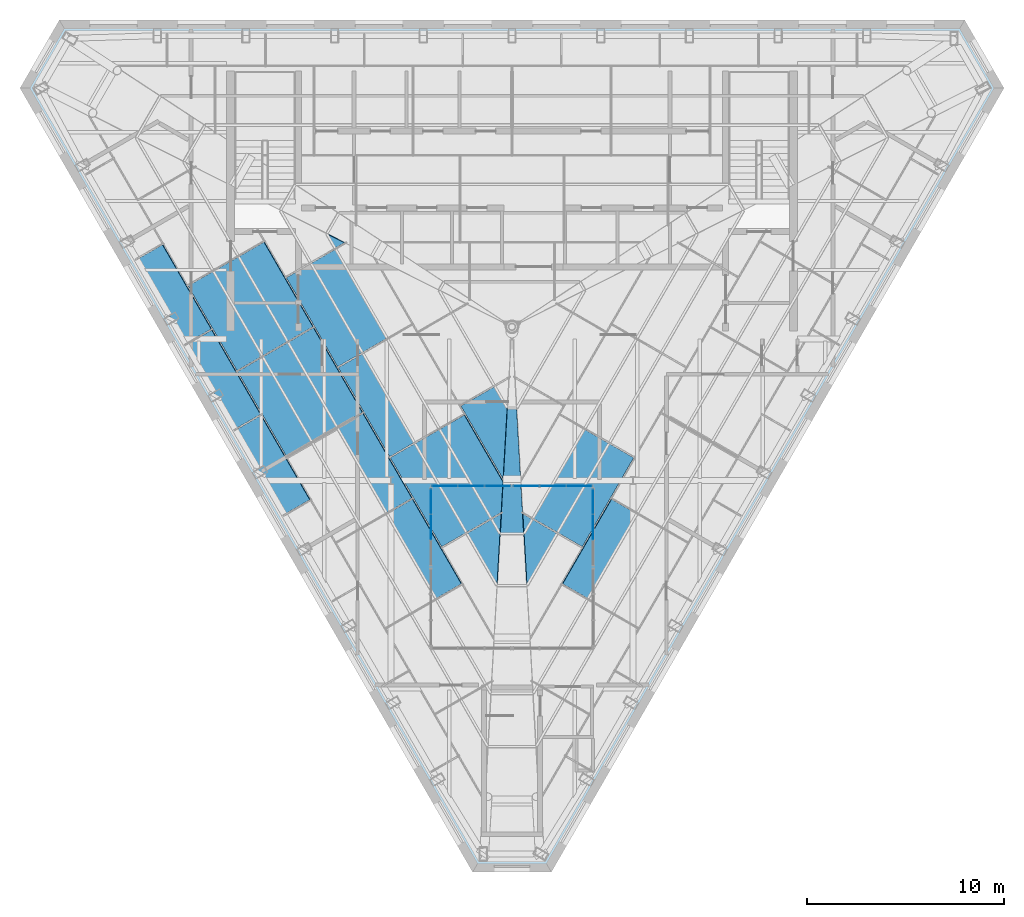
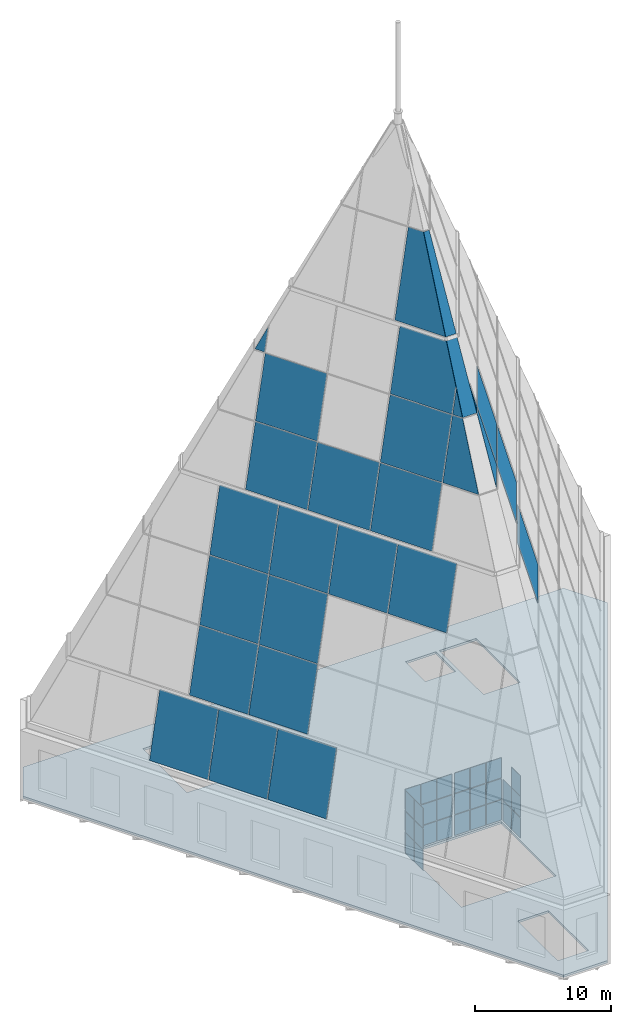
# One storey, part 26 of 36: 57 plates, 1 slab, 12 elements without a shape of their own.
"""IFC4 building model written with IfcOpenShell, lengths in metres."""

from ifc_helpers import new_model, si_unit, direction, frame, origin, origin_2d, place, context, subcontext, project, spatial, polyline, rectangle, outline, extrude, material, layer, layer_set, type_object, element, aggregate, save


model = new_model("IFC4")

# Units and contexts
model_context = context("Model", 3, precision=1e-05, world=origin(), true_north=direction((0.0, 1.0)))
body_context = subcontext(model_context, "Body", "Model", "MODEL_VIEW")
ifc_project = project(units=[si_unit("LENGTHUNIT", "METRE"), si_unit("AREAUNIT", "SQUARE_METRE"), si_unit("VOLUMEUNIT", "CUBIC_METRE"), si_unit("PLANEANGLEUNIT", "RADIAN"), si_unit("MASSUNIT", "GRAM", prefix="KILO")], contexts=[model_context])

# Site, building, storey
site_placement = place(None, origin())
site = spatial("IfcSite", under=ifc_project, at=site_placement, CompositionType="ELEMENT")
building_placement = place(site_placement, origin())
building = spatial("IfcBuilding", under=site, at=building_placement, Name="Njiva Tower", CompositionType="ELEMENT")
storey_placement = place(building_placement, frame((0.0, 0.0, 337.8)))
storey = spatial("IfcBuildingStorey", under=building, at=storey_placement, Name="L77", CompositionType="ELEMENT", Elevation=337.8)

# Curtain wall, plates
ifc_material_1 = material(Name="Glazed curtain wall", Category="glass")
ifc_layer_1 = layer(ifc_material_1, 0.16)
ifc_layer_set_1 = layer_set([ifc_layer_1], Name="Glazed curtain wall")
curtain_wall_type_1 = type_object("IfcCurtainWallType", Name="CW2 Crown glazing, faceted point, long faces", PredefinedType="NOTDEFINED", material=ifc_layer_set_1)
curtain_wall_1_placement = place(storey_placement, origin())
curtain_wall_1 = element("IfcCurtainWall", 1, at=curtain_wall_1_placement, inside=storey, type_object=curtain_wall_type_1, Name="Crown glazing face SW tier 1", PredefinedType="NOTDEFINED")
ifc_material_2 = material(Name="Clear laminated glass", Category="glass")
ifc_layer_2 = layer(ifc_material_2, 0.032)
ifc_layer_set_2 = layer_set([ifc_layer_2], Name="Clear laminated glass")
plate_type_1 = type_object("IfcPlateType", Name="CW2-P Crown glass panel 32", PredefinedType="CURTAIN_PANEL", material=ifc_layer_set_2)
plate_1_placement = place(storey_placement, frame((-16.5919, 3.7418, 6.5043), z_axis=(-0.83472112985, -0.481929472764, 0.266429387761), x_axis=(0.230736106256, 0.133212116361, 0.963854439905)))
plate_1 = element("IfcPlate", 2, at=plate_1_placement, type_object=plate_type_1, Name="CW2-31 panel 3.1", PredefinedType="CURTAIN_PANEL", context=body_context, shape_type="SweptSolid", body=[
    extrude(outline(polyline([(0.0, 0.0), (5.659994801963874, -5.0127409818509494e-17), (5.6599649789226865, 4.94850186797668), (-6.749430561781011e-06, 4.948451867828215), (0.0, 0.0)])), origin(), (0.0, 0.0, -1.0), 0.032),
])
plate_2_placement = place(storey_placement, frame((-14.0877, -0.5957, 6.5043), z_axis=(-0.83472364548, -0.481921186243, 0.26643649511), x_axis=(0.230742261373, 0.133215670042, 0.963852475264)))
plate_2 = element("IfcPlate", 3, at=plate_2_placement, type_object=plate_type_1, Name="CW2-31 panel 4.1", PredefinedType="CURTAIN_PANEL", context=body_context, shape_type="SweptSolid", body=[
    extrude(outline(polyline([(0.0, 0.0), (5.659994802117752, 6.313783588833555e-18), (5.6599880529949465, 4.94845186800422), (-6.749122805960184e-06, 4.94845186800422), (0.0, 0.0)])), origin(), (0.0, 0.0, -1.0), 0.032),
])
plate_3_placement = place(storey_placement, frame((-11.5834, -4.9331, 6.5043), z_axis=(-0.834723094453, -0.481930607035, 0.26642118082), x_axis=(0.230732232295, 0.133202412387, 0.963856708393)))
plate_3 = element("IfcPlate", 4, at=plate_3_placement, type_object=plate_type_1, Name="CW2-31 panel 5.1", PredefinedType="CURTAIN_PANEL", context=body_context, shape_type="SweptSolid", body=[
    extrude(outline(polyline([(0.0, 0.0), (5.659958407820509, 6.2341624917916505e-19), (5.659919656960116, 4.94845186768109), (-6.182408362298553e-05, 4.948501867680347), (0.0, 0.0)])), origin(), (0.0, 0.0, -1.0), 0.032),
])
aggregate(curtain_wall_1, [plate_1, plate_2, plate_3])

curtain_wall_2_placement = place(storey_placement, origin())
curtain_wall_2 = element("IfcCurtainWall", 5, at=curtain_wall_2_placement, inside=storey, type_object=curtain_wall_type_1, Name="Crown glazing face SW tier 2", PredefinedType="NOTDEFINED")
plate_4_placement = place(storey_placement, frame((-13.9751, 2.3852, 12.2488), z_axis=(-0.834724434486, -0.481924261072, 0.266428461432), x_axis=(0.230726006437, 0.133227757133, 0.963854695835)))
plate_4 = element("IfcPlate", 6, at=plate_4_placement, type_object=plate_type_1, Name="CW2-32 panel 3.1", PredefinedType="CURTAIN_PANEL", context=body_context, shape_type="SweptSolid", body=[
    extrude(outline(polyline([(0.0, 0.0), (5.541701797254022, -3.493841500834538e-17), (5.541789187432867, 4.969463529602748), (7.76403539147763e-05, 4.9696001321696714), (0.0, 0.0)])), origin(), (0.0, 0.0, -1.0), 0.032),
])
plate_5_placement = place(storey_placement, frame((-12.6826, 3.1315, 17.648), z_axis=(-0.834720043956, -0.481937022846, 0.266419132625), x_axis=(0.230727020437, 0.133207343245, 0.963857274572)))
plate_5 = element("IfcPlate", 7, at=plate_5_placement, type_object=plate_type_1, Name="CW2-32 panel 3.2", PredefinedType="CURTAIN_PANEL", context=body_context, shape_type="SweptSolid", body=[
    extrude(outline(polyline([(0.0, 0.0), (5.511708154465365, 2.6020852139652106e-17), (5.511682097207619, 4.969513530449537), (-2.6057257746070484e-05, 4.969513530449536), (0.0, 0.0)])), origin(), (0.0, 0.0, -1.0), 0.032),
])
plate_6_placement = place(storey_placement, frame((-12.6032, 8.9156, 28.3597), z_axis=(-0.83472301334, -0.481929039523, 0.266424270413), x_axis=(-0.230730190592, -0.133212127882, -0.963855854438)))
plate_6 = element("IfcPlate", 8, at=plate_6_placement, type_object=plate_type_1, Name="CW2-32 panel 3.3", PredefinedType="CURTAIN_PANEL", context=body_context, shape_type="SweptSolid", body=[
    extrude(outline(polyline([(0.0, 0.0), (5.5416884753888604, -2.0740215812408303e-16), (5.541698205589708, 4.969463530217665), (-1.3342818211525831e-05, 4.969513530324679), (0.0, 0.0)])), origin(), (0.0, 0.0, -1.0), 0.032),
])
plate_7_placement = place(storey_placement, frame((-11.4604, -1.9705, 12.2488), z_axis=(-0.834724434486, -0.481924261072, 0.266428461432), x_axis=(0.23073051767, 0.13321994344, 0.96385469594)))
plate_7 = element("IfcPlate", 9, at=plate_7_placement, type_object=plate_type_1, Name="CW2-32 panel 4.1", PredefinedType="CURTAIN_PANEL", context=body_context, shape_type="SweptSolid", body=[
    extrude(outline(polyline([(0.0, 0.0), (5.541724870080227, -7.092037460770806e-17), (5.541744350356935, 4.969513530043621), (5.587532281881025e-05, 4.969550132813234), (0.0, 0.0)])), origin(), (0.0, 0.0, -1.0), 0.032),
])
plate_8_placement = place(storey_placement, frame((-10.1679, -1.2242, 17.648), z_axis=(-0.834722496075, -0.481928740879, 0.266426431235), x_axis=(0.230737876965, 0.13320313633, 0.963855257083)))
plate_8 = element("IfcPlate", 10, at=plate_8_placement, type_object=plate_type_1, Name="CW2-32 panel 4.2", PredefinedType="CURTAIN_PANEL", context=body_context, shape_type="SweptSolid", body=[
    extrude(outline(polyline([(0.0, 0.0), (5.511731227868255, 1.3010426069826053e-17), (5.511660089011535, 4.969513529833414), (-4.80650690226625e-05, 4.969463529994746), (0.0, 0.0)])), origin(), (0.0, 0.0, -1.0), 0.032),
])
plate_9_placement = place(storey_placement, frame((-10.0884, 4.56, 28.3597), z_axis=(-0.834718497556, -0.481930530985, 0.266435720471), x_axis=(-0.230736804169, -0.133223572879, -0.963852689383)))
plate_9 = element("IfcPlate", 11, at=plate_9_placement, type_object=plate_type_1, Name="CW2-32 panel 4.3", PredefinedType="CURTAIN_PANEL", context=body_context, shape_type="SweptSolid", body=[
    extrude(outline(polyline([(0.0, 0.0), (5.5417248704188635, 4.04576816926544e-17), (5.541744350018297, 4.969513530421253), (3.2801956720174275e-05, 4.969600132640792), (0.0, 0.0)])), origin(), (0.0, 0.0, -1.0), 0.032),
])
plate_10_placement = place(storey_placement, frame((-7.5736, 0.2043, 28.3597), z_axis=(-0.834724434486, -0.481924261072, 0.266428461432), x_axis=(-0.23073051767, -0.13321994344, -0.96385469594)))
plate_10 = element("IfcPlate", 12, at=plate_10_placement, type_object=plate_type_1, Name="CW2-32 panel 5.3", PredefinedType="CURTAIN_PANEL", context=body_context, shape_type="SweptSolid", body=[
    extrude(outline(polyline([(0.0, 0.0), (5.541724870080228, -2.596664203102783e-17), (5.541744350356936, 4.969513530043621), (5.587532281936536e-05, 4.969550132813234), (0.0, 0.0)])), origin(), (0.0, 0.0, -1.0), 0.032),
])
plate_11_placement = place(storey_placement, frame((-5.0589, -4.1514, 28.3597), z_axis=(-0.834724434486, -0.481924261072, 0.266428461432), x_axis=(-0.230726006437, -0.133227757133, -0.963854695835)))
plate_11 = element("IfcPlate", 13, at=plate_11_placement, type_object=plate_type_1, Name="CW2-32 panel 6.3", PredefinedType="CURTAIN_PANEL", context=body_context, shape_type="SweptSolid", body=[
    extrude(outline(polyline([(0.0, 0.0), (5.541701797254022, -2.687466135048444e-17), (5.541789187432867, 4.969463529602747), (7.764035391544244e-05, 4.96960013216967), (0.0, 0.0)])), origin(), (0.0, 0.0, -1.0), 0.032),
])
aggregate(curtain_wall_2, [plate_4, plate_5, plate_6, plate_7, plate_8, plate_9, plate_10, plate_11])

curtain_wall_3_placement = place(storey_placement, origin())
curtain_wall_3 = element("IfcCurtainWall", 14, at=curtain_wall_3_placement, inside=storey, type_object=curtain_wall_type_1, Name="Crown glazing face SW tier 3", PredefinedType="NOTDEFINED")
plate_12_placement = place(storey_placement, frame((-9.3975, 9.3295, 39.1517), z_axis=(-0.83473613617, -0.481891543792, 0.266450976716), x_axis=(0.499966081582, -0.866044985707, 0.0)))
plate_12 = element("IfcPlate", 15, at=plate_12_placement, type_object=plate_type_1, Name="CW2-33 panel 1.3", PredefinedType="CURTAIN_PANEL", context=body_context, shape_type="SweptSolid", body=[
    extrude(outline(polyline([(0.0, 0.0), (0.8290562405530761, 0.0), (0.8290760220819984, 2.0419184728114548), (0.0, 0.0)])), origin(), (0.0, 0.0, -1.0), 0.032),
])
plate_13_placement = place(storey_placement, frame((-8.8553, 2.5841, 28.6488), z_axis=(-0.834720210953, -0.481932000305, 0.266427694711), x_axis=(0.23073175592, 0.133216265226, 0.963854907903)))
plate_13 = element("IfcPlate", 16, at=plate_13_placement, type_object=plate_type_1, Name="CW2-33 panel 2.1", PredefinedType="CURTAIN_PANEL", context=body_context, shape_type="SweptSolid", body=[
    extrude(outline(polyline([(0.0, 0.0), (5.403395093666399, -2.1678961252026563e-17), (5.403413634184011, 5.223625721461517), (-4.532657980726995e-06, 5.223675721964137), (0.0, 0.0)])), origin(), (0.0, 0.0, -1.0), 0.032),
])
plate_14_placement = place(storey_placement, frame((-7.5948, 3.3119, 33.9147), z_axis=(-0.834724318837, -0.481925146102, 0.266427222891), x_axis=(0.230732651718, 0.133213770043, 0.963855038324)))
plate_14 = element("IfcPlate", 17, at=plate_14_placement, type_object=plate_type_1, Name="CW2-33 panel 2.2", PredefinedType="CURTAIN_PANEL", context=body_context, shape_type="SweptSolid", body=[
    extrude(outline(polyline([(0.0, 0.0), (5.373318387179385, 1.055165883053627e-16), (5.373323300344416, 5.223625721658843), (4.91316503115069e-06, 5.223625721658842), (0.0, 0.0)])), origin(), (0.0, 0.0, -1.0), 0.032),
])
plate_15_placement = place(storey_placement, frame((-6.2135, -1.9917, 28.6488), z_axis=(-0.834725988063, -0.481926109824, 0.266420249836), x_axis=(0.230725308505, 0.133212542763, 0.963856965771)))
plate_15 = element("IfcPlate", 18, at=plate_15_placement, type_object=plate_type_1, Name="CW2-33 panel 3.1", PredefinedType="CURTAIN_PANEL", context=body_context, shape_type="SweptSolid", body=[
    extrude(outline(polyline([(0.0, 0.0), (5.403395093827585, -1.7065003381742938e-16), (5.403413634022826, 5.22362572162825), (1.8540195240390744e-05, 5.223625721628251), (0.0, 0.0)])), origin(), (0.0, 0.0, -1.0), 0.032),
])
plate_16_placement = place(storey_placement, frame((-3.5717, -6.5675, 28.6488), z_axis=(-0.834720210953, -0.481932000305, 0.266427694711), x_axis=(0.230736382704, 0.133208251486, 0.963854907874)))
plate_16 = element("IfcPlate", 19, at=plate_16_placement, type_object=plate_type_1, Name="CW2-33 panel 4.1", PredefinedType="CURTAIN_PANEL", context=body_context, shape_type="SweptSolid", body=[
    extrude(outline(polyline([(0.0, 0.0), (5.403418167073332, 1.8973538018496328e-19), (5.403365297158535, 5.22367572169855), (-2.9796276526328214e-05, 5.223625721409439), (0.0, 0.0)])), origin(), (0.0, 0.0, -1.0), 0.032),
])
plate_17_placement = place(storey_placement, frame((-2.3111, -5.8397, 33.9147), z_axis=(-0.834724318837, -0.481925146102, 0.266427222891), x_axis=(0.230732651718, 0.133213770043, 0.963855038324)))
plate_17 = element("IfcPlate", 20, at=plate_17_placement, type_object=plate_type_1, Name="CW2-33 panel 4.2", PredefinedType="CURTAIN_PANEL", context=body_context, shape_type="SweptSolid", body=[
    extrude(outline(polyline([(0.0, 0.0), (5.373318387179385, -1.2378793601058521e-16), (5.373323300344415, 5.223625721658842), (4.913165030706601e-06, 5.223625721658842), (0.0, 0.0)])), origin(), (0.0, 0.0, -1.0), 0.032),
])
plate_18_placement = place(storey_placement, frame((-2.4225, 0.1277, 44.3597), z_axis=(-0.834719076784, -0.48193106339, 0.266432942769), x_axis=(-0.230740927709, -0.133210875418, -0.963853457197)))
plate_18 = element("IfcPlate", 21, at=plate_18_placement, type_object=plate_type_1, Name="CW2-33 panel 4.3", PredefinedType="CURTAIN_PANEL", context=body_context, shape_type="SweptSolid", body=[
    extrude(outline(polyline([(0.0, 0.0), (5.403321781874732, 1.7796501034991752e-16), (5.403268911004581, 5.223675721688189), (3.2136282605525652, 5.223641962504193), (-2.270476162902213e-05, 3.9188170152022437), (0.0, 0.0)])), origin(), (0.0, 0.0, -1.0), 0.032),
])
plate_19_placement = place(storey_placement, frame((-0.6145, -5.915, 39.0938), z_axis=(-0.834704401377, -0.481955847753, 0.266434087792), x_axis=(-0.500033235373, 0.8660062144, -1.1947347e-05)))
plate_19 = element("IfcPlate", 22, at=plate_19_placement, type_object=plate_type_1, Name="CW2-33 panel 5.2", PredefinedType="CURTAIN_PANEL", context=body_context, shape_type="SweptSolid", body=[
    extrude(outline(polyline([(0.0, 0.0), (0.8534793779203436, 2.7755575615628914e-17), (0.8535952113748597, 5.373318385794569), (-2.1816891651229655, 5.373366588584889), (0.0, 0.0)])), origin(), (0.0, 0.0, -1.0), 0.032),
])
plate_20_placement = place(storey_placement, frame((-0.5563, -4.8959, 41.1198), z_axis=(-0.834745568987, -0.481896989339, 0.266411573929), x_axis=(-0.23071700943, -0.133209566047, -0.963859363742)))
plate_20 = element("IfcPlate", 23, at=plate_20_placement, type_object=plate_type_1, Name="CW2-33 panel 5.3", PredefinedType="CURTAIN_PANEL", context=body_context, shape_type="SweptSolid", body=[
    extrude(outline(polyline([(0.0, 0.0), (2.0418953988879966, 4.0176466754165974e-17), (2.0419076669013405, 0.8290562404623079), (0.0, 0.0)])), origin(), (0.0, 0.0, -1.0), 0.032),
])
aggregate(curtain_wall_3, [plate_12, plate_13, plate_14, plate_15, plate_16, plate_17, plate_18, plate_19, plate_20])

# Curtain wall, plate
curtain_wall_4_placement = place(storey_placement, origin())
curtain_wall_4 = element("IfcCurtainWall", 24, at=curtain_wall_4_placement, inside=storey, type_object=curtain_wall_type_1, Name="Crown glazing face SW tier 4", PredefinedType="NOTDEFINED")
plate_21_placement = place(storey_placement, frame((-0.2493, 0.4755, 51.7976), z_axis=(-0.83472123686, -0.48193241096, 0.266423737683), x_axis=(-0.500004692974, 0.866022694278, -4.90779e-07)))
plate_21 = element("IfcPlate", 25, at=plate_21_placement, type_object=plate_type_1, Name="CW2-34 panel 3.1", PredefinedType="CURTAIN_PANEL", context=body_context, shape_type="SweptSolid", body=[
    extrude(outline(polyline([(0.0, 0.0), (1.270984161976269, -2.7755575615628914e-17), (1.2710152795988678, 7.4168748896705905), (-3.0115497380029104, 7.41687771744479), (0.0, 0.0)])), origin(), (0.0, 0.0, -1.0), 0.032),
])
aggregate(curtain_wall_4, [plate_21])

curtain_wall_5_placement = place(storey_placement, origin())
curtain_wall_5 = element("IfcCurtainWall", 26, at=curtain_wall_5_placement, inside=storey, type_object=curtain_wall_type_1, Name="Crown glazing face SE tier 2", PredefinedType="NOTDEFINED")
plate_22_placement = place(storey_placement, frame((2.5741, -8.4552, 28.3597), z_axis=(0.834724434486, -0.481924261072, 0.266428461432), x_axis=(0.230738331326, -0.133206409673, -0.963854695936)))
plate_22 = element("IfcPlate", 27, at=plate_22_placement, type_object=plate_type_1, Name="CW2-52 panel 3.3", PredefinedType="CURTAIN_PANEL", context=body_context, shape_type="SweptSolid", body=[
    extrude(outline(polyline([(0.0, 0.0), (5.541711548762571, 1.2576745200831851e-17), (5.54174665530131, 4.969463530247139), (4.485973090417872e-05, 4.969600132573689), (0.0, 0.0)])), origin(), (0.0, 0.0, -1.0), 0.032),
])
aggregate(curtain_wall_5, [plate_22])

# Curtain wall, plates
curtain_wall_6_placement = place(storey_placement, origin())
curtain_wall_6 = element("IfcCurtainWall", 28, at=curtain_wall_6_placement, inside=storey, type_object=curtain_wall_type_1, Name="Crown glazing face SE tier 3", PredefinedType="NOTDEFINED")
plate_23_placement = place(storey_placement, frame((0.7634, -8.5203, 33.9147), z_axis=(0.834704401378, -0.481955847753, 0.266434087792), x_axis=(0.500029571165, 0.866008330185, 3.359426e-06)))
plate_23 = element("IfcPlate", 29, at=plate_23_placement, type_object=plate_type_1, Name="CW2-53 panel 1.2", PredefinedType="CURTAIN_PANEL", context=body_context, shape_type="SweptSolid", body=[
    extrude(outline(polyline([(0.0, 0.0), (3.035284376880575, 5.551115123125783e-17), (3.0352538761024586, 5.373318386956524), (2.1817744982897387, 5.373331940904816), (0.0, 0.0)])), origin(), (0.0, 0.0, -1.0), 0.032),
])
plate_24_placement = place(storey_placement, frame((0.6129, -5.8859, 39.1517), z_axis=(0.834745568987, -0.481896989339, 0.266411573929), x_axis=(0.499966081582, 0.866044985707, 0.0)))
plate_24 = element("IfcPlate", 30, at=plate_24_placement, type_object=plate_type_1, Name="CW2-53 panel 1.3", PredefinedType="CURTAIN_PANEL", context=body_context, shape_type="SweptSolid", body=[
    extrude(outline(polyline([(0.0, 0.0), (0.8290562405530761, 0.0), (0.829086455632313, 2.0418953986644417), (0.0, 0.0)])), origin(), (0.0, 0.0, -1.0), 0.032),
])
plate_25_placement = place(storey_placement, frame((6.1835, -2.0437, 28.6488), z_axis=(0.834720210953, -0.481932000305, 0.266427694711), x_axis=(-0.23073175592, 0.133216265226, 0.963854907903)))
plate_25 = element("IfcPlate", 31, at=plate_25_placement, type_object=plate_type_1, Name="CW2-53 panel 2.1", PredefinedType="CURTAIN_PANEL", context=body_context, shape_type="SweptSolid", body=[
    extrude(outline(polyline([(0.0, 0.0), (5.4033950936664, -2.1304149172866535e-16), (5.403399626324381, 5.223675721964137), (-1.8540517610521334e-05, 5.223625721461517), (0.0, 0.0)])), origin(), (0.0, 0.0, -1.0), 0.032),
])
plate_26_placement = place(storey_placement, frame((4.9229, -1.3159, 33.9147), z_axis=(0.834724318837, -0.481925146102, 0.266427222891), x_axis=(-0.230732651718, 0.133213770043, 0.963855038324)))
plate_26 = element("IfcPlate", 32, at=plate_26_placement, type_object=plate_type_1, Name="CW2-53 panel 2.2", PredefinedType="CURTAIN_PANEL", context=body_context, shape_type="SweptSolid", body=[
    extrude(outline(polyline([(0.0, 0.0), (5.373318387179384, -8.23129677482784e-17), (5.373313474014353, 5.223625721658842), (-4.913165030817623e-06, 5.223625721658842), (0.0, 0.0)])), origin(), (0.0, 0.0, -1.0), 0.032),
])
aggregate(curtain_wall_6, [plate_23, plate_24, plate_25, plate_26])

# Curtain wall, plate
ifc_layer_3 = layer(ifc_material_1, 0.16)
ifc_layer_set_3 = layer_set([ifc_layer_3], Name="Glazed curtain wall")
curtain_wall_type_2 = type_object("IfcCurtainWallType", Name="CW3 Crown glazing, faceted point, corner faces", PredefinedType="NOTDEFINED", material=ifc_layer_set_3)
curtain_wall_7_placement = place(storey_placement, origin())
curtain_wall_7 = element("IfcCurtainWall", 33, at=curtain_wall_7_placement, inside=storey, type_object=curtain_wall_type_2, Name="Crown glazing face S tier 3", PredefinedType="NOTDEFINED")
ifc_layer_4 = layer(ifc_material_2, 0.032)
ifc_layer_set_4 = layer_set([ifc_layer_4], Name="Clear laminated glass")
plate_type_2 = type_object("IfcPlateType", Name="CW3-P Crown corner glass panel 32", PredefinedType="CURTAIN_PANEL", material=ifc_layer_set_4)
plate_27_placement = place(storey_placement, frame((-0.5995, -5.9097, 39.165), z_axis=(0.0, -0.893335523185, 0.449390301426), x_axis=(1.0, 0.0, 0.0)))
plate_27 = element("IfcPlate", 34, at=plate_27_placement, type_object=plate_type_2, Name="CW3-43 panel 1.3", PredefinedType="CURTAIN_PANEL", context=body_context, shape_type="SweptSolid", body=[
    extrude(outline(polyline([(0.0, 0.0), (1.199, 0.0), (1.049, 5.840134937653453), (0.15000000000000002, 5.840134937653453), (0.0, 0.0)])), origin(), (0.0, 0.0, -1.0), 0.032),
])
aggregate(curtain_wall_7, [plate_27])

curtain_wall_8_placement = place(storey_placement, origin())
curtain_wall_8 = element("IfcCurtainWall", 35, at=curtain_wall_8_placement, inside=storey, type_object=curtain_wall_type_2, Name="Crown glazing face S tier 4", PredefinedType="NOTDEFINED")
plate_28_placement = place(storey_placement, frame((0.236, 0.4495, 51.8064), z_axis=(0.0, -0.893335990218, 0.449389373017), x_axis=(-1.0, 0.0, 0.0)))
plate_28 = element("IfcPlate", 36, at=plate_28_placement, type_object=plate_type_2, Name="CW3-44 panel 1.1", PredefinedType="CURTAIN_PANEL", context=body_context, shape_type="SweptSolid", body=[
    extrude(outline(polyline([(0.0, 0.0), (0.472, 0.0), (0.6778, 8.010647817124417), (-0.20580000000000004, 8.010647817124417), (0.0, 0.0)])), origin(), (0.0, 0.0, -1.0), 0.032),
])
aggregate(curtain_wall_8, [plate_28])

# Curtain wall, plates
ifc_layer_5 = layer(ifc_material_1, 0.2)
ifc_layer_set_5 = layer_set([ifc_layer_5], Name="Glazed curtain wall")
curtain_wall_type_3 = type_object("IfcCurtainWallType", Name="CW5 Atrium lantern glazing", PredefinedType="NOTDEFINED", material=ifc_layer_set_5)
curtain_wall_9_placement = place(storey_placement, origin())
curtain_wall_9 = element("IfcCurtainWall", 37, at=curtain_wall_9_placement, inside=storey, type_object=curtain_wall_type_3, Name="Atrium lantern north 1", PredefinedType="NOTDEFINED")
ifc_layer_6 = layer(ifc_material_2, 0.028)
ifc_layer_set_6 = layer_set([ifc_layer_6], Name="Clear laminated glass")
plate_type_3 = type_object("IfcPlateType", Name="CW5-P Lantern glass panel 28", PredefinedType="CURTAIN_PANEL", material=ifc_layer_set_6)
plate_29_placement = place(storey_placement, frame((-3.425, -3.48, 0.06), z_axis=(0.0, 0.0, 1.0), x_axis=(1.0, 0.0, 0.0)))
plate_29 = element("IfcPlate", 38, at=plate_29_placement, type_object=plate_type_3, Name="CW5-3 panel 1.1", PredefinedType="CURTAIN_PANEL", context=body_context, shape_type="SweptSolid", body=[
    extrude(rectangle(XDim=1.27, YDim=0.028, at=origin_2d()), origin(), (0.0, 0.0, 1.0), 1.81),
])
plate_30_placement = place(storey_placement, frame((-3.425, -3.48, 1.93), z_axis=(0.0, 0.0, 1.0), x_axis=(1.0, 0.0, 0.0)))
plate_30 = element("IfcPlate", 39, at=plate_30_placement, type_object=plate_type_3, Name="CW5-3 panel 1.2", PredefinedType="CURTAIN_PANEL", context=body_context, shape_type="SweptSolid", body=[
    extrude(rectangle(XDim=1.27, YDim=0.028, at=origin_2d()), origin(), (0.0, 0.0, 1.0), 1.84),
])
plate_31_placement = place(storey_placement, frame((-3.425, -3.48, 3.83), z_axis=(0.0, 0.0, 1.0), x_axis=(1.0, 0.0, 0.0)))
plate_31 = element("IfcPlate", 40, at=plate_31_placement, type_object=plate_type_3, Name="CW5-3 panel 1.3", PredefinedType="CURTAIN_PANEL", context=body_context, shape_type="SweptSolid", body=[
    extrude(rectangle(XDim=1.27, YDim=0.028, at=origin_2d()), origin(), (0.0, 0.0, 1.0), 1.81),
])
plate_32_placement = place(storey_placement, frame((-2.08, -3.48, 0.06), z_axis=(0.0, 0.0, 1.0), x_axis=(1.0, 0.0, 0.0)))
plate_32 = element("IfcPlate", 41, at=plate_32_placement, type_object=plate_type_3, Name="CW5-3 panel 2.1", PredefinedType="CURTAIN_PANEL", context=body_context, shape_type="SweptSolid", body=[
    extrude(rectangle(XDim=1.3, YDim=0.028, at=origin_2d()), origin(), (0.0, 0.0, 1.0), 1.81),
])
plate_33_placement = place(storey_placement, frame((-2.08, -3.48, 1.93), z_axis=(0.0, 0.0, 1.0), x_axis=(1.0, 0.0, 0.0)))
plate_33 = element("IfcPlate", 42, at=plate_33_placement, type_object=plate_type_3, Name="CW5-3 panel 2.2", PredefinedType="CURTAIN_PANEL", context=body_context, shape_type="SweptSolid", body=[
    extrude(rectangle(XDim=1.3, YDim=0.028, at=origin_2d()), origin(), (0.0, 0.0, 1.0), 1.84),
])
plate_34_placement = place(storey_placement, frame((-2.08, -3.48, 3.83), z_axis=(0.0, 0.0, 1.0), x_axis=(1.0, 0.0, 0.0)))
plate_34 = element("IfcPlate", 43, at=plate_34_placement, type_object=plate_type_3, Name="CW5-3 panel 2.3", PredefinedType="CURTAIN_PANEL", context=body_context, shape_type="SweptSolid", body=[
    extrude(rectangle(XDim=1.3, YDim=0.028, at=origin_2d()), origin(), (0.0, 0.0, 1.0), 1.81),
])
plate_35_placement = place(storey_placement, frame((-0.735, -3.48, 0.06), z_axis=(0.0, 0.0, 1.0), x_axis=(1.0, 0.0, 0.0)))
plate_35 = element("IfcPlate", 44, at=plate_35_placement, type_object=plate_type_3, Name="CW5-3 panel 3.1", PredefinedType="CURTAIN_PANEL", context=body_context, shape_type="SweptSolid", body=[
    extrude(rectangle(XDim=1.27, YDim=0.028, at=origin_2d()), origin(), (0.0, 0.0, 1.0), 1.81),
])
plate_36_placement = place(storey_placement, frame((-0.735, -3.48, 1.93), z_axis=(0.0, 0.0, 1.0), x_axis=(1.0, 0.0, 0.0)))
plate_36 = element("IfcPlate", 45, at=plate_36_placement, type_object=plate_type_3, Name="CW5-3 panel 3.2", PredefinedType="CURTAIN_PANEL", context=body_context, shape_type="SweptSolid", body=[
    extrude(rectangle(XDim=1.27, YDim=0.028, at=origin_2d()), origin(), (0.0, 0.0, 1.0), 1.84),
])
plate_37_placement = place(storey_placement, frame((-0.735, -3.48, 3.83), z_axis=(0.0, 0.0, 1.0), x_axis=(1.0, 0.0, 0.0)))
plate_37 = element("IfcPlate", 46, at=plate_37_placement, type_object=plate_type_3, Name="CW5-3 panel 3.3", PredefinedType="CURTAIN_PANEL", context=body_context, shape_type="SweptSolid", body=[
    extrude(rectangle(XDim=1.27, YDim=0.028, at=origin_2d()), origin(), (0.0, 0.0, 1.0), 1.81),
])
aggregate(curtain_wall_9, [plate_29, plate_30, plate_31, plate_32, plate_33, plate_34, plate_35, plate_36, plate_37])

curtain_wall_10_placement = place(storey_placement, origin())
curtain_wall_10 = element("IfcCurtainWall", 47, at=curtain_wall_10_placement, inside=storey, type_object=curtain_wall_type_3, Name="Atrium lantern north 2", PredefinedType="NOTDEFINED")
plate_38_placement = place(storey_placement, frame((0.735, -3.48, 0.06), z_axis=(0.0, 0.0, 1.0), x_axis=(1.0, 0.0, 0.0)))
plate_38 = element("IfcPlate", 48, at=plate_38_placement, type_object=plate_type_3, Name="CW5-4 panel 1.1", PredefinedType="CURTAIN_PANEL", context=body_context, shape_type="SweptSolid", body=[
    extrude(rectangle(XDim=1.27, YDim=0.028, at=origin_2d()), origin(), (0.0, 0.0, 1.0), 1.81),
])
plate_39_placement = place(storey_placement, frame((0.735, -3.48, 1.93), z_axis=(0.0, 0.0, 1.0), x_axis=(1.0, 0.0, 0.0)))
plate_39 = element("IfcPlate", 49, at=plate_39_placement, type_object=plate_type_3, Name="CW5-4 panel 1.2", PredefinedType="CURTAIN_PANEL", context=body_context, shape_type="SweptSolid", body=[
    extrude(rectangle(XDim=1.27, YDim=0.028, at=origin_2d()), origin(), (0.0, 0.0, 1.0), 1.84),
])
plate_40_placement = place(storey_placement, frame((0.735, -3.48, 3.83), z_axis=(0.0, 0.0, 1.0), x_axis=(1.0, 0.0, 0.0)))
plate_40 = element("IfcPlate", 50, at=plate_40_placement, type_object=plate_type_3, Name="CW5-4 panel 1.3", PredefinedType="CURTAIN_PANEL", context=body_context, shape_type="SweptSolid", body=[
    extrude(rectangle(XDim=1.27, YDim=0.028, at=origin_2d()), origin(), (0.0, 0.0, 1.0), 1.81),
])
plate_41_placement = place(storey_placement, frame((2.08, -3.48, 0.06), z_axis=(0.0, 0.0, 1.0), x_axis=(1.0, 0.0, 0.0)))
plate_41 = element("IfcPlate", 51, at=plate_41_placement, type_object=plate_type_3, Name="CW5-4 panel 2.1", PredefinedType="CURTAIN_PANEL", context=body_context, shape_type="SweptSolid", body=[
    extrude(rectangle(XDim=1.3, YDim=0.028, at=origin_2d()), origin(), (0.0, 0.0, 1.0), 1.81),
])
plate_42_placement = place(storey_placement, frame((2.08, -3.48, 1.93), z_axis=(0.0, 0.0, 1.0), x_axis=(1.0, 0.0, 0.0)))
plate_42 = element("IfcPlate", 52, at=plate_42_placement, type_object=plate_type_3, Name="CW5-4 panel 2.2", PredefinedType="CURTAIN_PANEL", context=body_context, shape_type="SweptSolid", body=[
    extrude(rectangle(XDim=1.3, YDim=0.028, at=origin_2d()), origin(), (0.0, 0.0, 1.0), 1.84),
])
plate_43_placement = place(storey_placement, frame((2.08, -3.48, 3.83), z_axis=(0.0, 0.0, 1.0), x_axis=(1.0, 0.0, 0.0)))
plate_43 = element("IfcPlate", 53, at=plate_43_placement, type_object=plate_type_3, Name="CW5-4 panel 2.3", PredefinedType="CURTAIN_PANEL", context=body_context, shape_type="SweptSolid", body=[
    extrude(rectangle(XDim=1.3, YDim=0.028, at=origin_2d()), origin(), (0.0, 0.0, 1.0), 1.81),
])
plate_44_placement = place(storey_placement, frame((3.425, -3.48, 0.06), z_axis=(0.0, 0.0, 1.0), x_axis=(1.0, 0.0, 0.0)))
plate_44 = element("IfcPlate", 54, at=plate_44_placement, type_object=plate_type_3, Name="CW5-4 panel 3.1", PredefinedType="CURTAIN_PANEL", context=body_context, shape_type="SweptSolid", body=[
    extrude(rectangle(XDim=1.27, YDim=0.028, at=origin_2d()), origin(), (0.0, 0.0, 1.0), 1.81),
])
plate_45_placement = place(storey_placement, frame((3.425, -3.48, 1.93), z_axis=(0.0, 0.0, 1.0), x_axis=(1.0, 0.0, 0.0)))
plate_45 = element("IfcPlate", 55, at=plate_45_placement, type_object=plate_type_3, Name="CW5-4 panel 3.2", PredefinedType="CURTAIN_PANEL", context=body_context, shape_type="SweptSolid", body=[
    extrude(rectangle(XDim=1.27, YDim=0.028, at=origin_2d()), origin(), (0.0, 0.0, 1.0), 1.84),
])
plate_46_placement = place(storey_placement, frame((3.425, -3.48, 3.83), z_axis=(0.0, 0.0, 1.0), x_axis=(1.0, 0.0, 0.0)))
plate_46 = element("IfcPlate", 56, at=plate_46_placement, type_object=plate_type_3, Name="CW5-4 panel 3.3", PredefinedType="CURTAIN_PANEL", context=body_context, shape_type="SweptSolid", body=[
    extrude(rectangle(XDim=1.27, YDim=0.028, at=origin_2d()), origin(), (0.0, 0.0, 1.0), 1.81),
])
aggregate(curtain_wall_10, [plate_38, plate_39, plate_40, plate_41, plate_42, plate_43, plate_44, plate_45, plate_46])

curtain_wall_11_placement = place(storey_placement, origin())
curtain_wall_11 = element("IfcCurtainWall", 57, at=curtain_wall_11_placement, inside=storey, type_object=curtain_wall_type_3, Name="Atrium lantern west 2", PredefinedType="NOTDEFINED")
plate_47_placement = place(storey_placement, frame((-4.12, -5.57, 0.06), z_axis=(0.0, 0.0, 1.0), x_axis=(0.0, 1.0, 0.0)))
plate_47 = element("IfcPlate", 58, at=plate_47_placement, type_object=plate_type_3, Name="CW5-6 panel 2.1", PredefinedType="CURTAIN_PANEL", context=body_context, shape_type="SweptSolid", body=[
    extrude(rectangle(XDim=1.2667, YDim=0.028, at=origin_2d()), origin(), (0.0, 0.0, 1.0), 1.81),
])
plate_48_placement = place(storey_placement, frame((-4.12, -5.57, 1.93), z_axis=(0.0, 0.0, 1.0), x_axis=(0.0, 1.0, 0.0)))
plate_48 = element("IfcPlate", 59, at=plate_48_placement, type_object=plate_type_3, Name="CW5-6 panel 2.2", PredefinedType="CURTAIN_PANEL", context=body_context, shape_type="SweptSolid", body=[
    extrude(rectangle(XDim=1.2667, YDim=0.028, at=origin_2d()), origin(), (0.0, 0.0, 1.0), 1.84),
])
plate_49_placement = place(storey_placement, frame((-4.12, -5.57, 3.83), z_axis=(0.0, 0.0, 1.0), x_axis=(0.0, 1.0, 0.0)))
plate_49 = element("IfcPlate", 60, at=plate_49_placement, type_object=plate_type_3, Name="CW5-6 panel 2.3", PredefinedType="CURTAIN_PANEL", context=body_context, shape_type="SweptSolid", body=[
    extrude(rectangle(XDim=1.2667, YDim=0.028, at=origin_2d()), origin(), (0.0, 0.0, 1.0), 1.81),
])
plate_50_placement = place(storey_placement, frame((-4.12, -4.2583, 0.06), z_axis=(0.0, 0.0, 1.0), x_axis=(0.0, 1.0, 0.0)))
plate_50 = element("IfcPlate", 61, at=plate_50_placement, type_object=plate_type_3, Name="CW5-6 panel 3.1", PredefinedType="CURTAIN_PANEL", context=body_context, shape_type="SweptSolid", body=[
    extrude(rectangle(XDim=1.2367, YDim=0.028, at=origin_2d()), origin(), (0.0, 0.0, 1.0), 1.81),
])
plate_51_placement = place(storey_placement, frame((-4.12, -4.2583, 1.93), z_axis=(0.0, 0.0, 1.0), x_axis=(0.0, 1.0, 0.0)))
plate_51 = element("IfcPlate", 62, at=plate_51_placement, type_object=plate_type_3, Name="CW5-6 panel 3.2", PredefinedType="CURTAIN_PANEL", context=body_context, shape_type="SweptSolid", body=[
    extrude(rectangle(XDim=1.2367, YDim=0.028, at=origin_2d()), origin(), (0.0, 0.0, 1.0), 1.84),
])
plate_52_placement = place(storey_placement, frame((-4.12, -4.2583, 3.83), z_axis=(0.0, 0.0, 1.0), x_axis=(0.0, 1.0, 0.0)))
plate_52 = element("IfcPlate", 63, at=plate_52_placement, type_object=plate_type_3, Name="CW5-6 panel 3.3", PredefinedType="CURTAIN_PANEL", context=body_context, shape_type="SweptSolid", body=[
    extrude(rectangle(XDim=1.2367, YDim=0.028, at=origin_2d()), origin(), (0.0, 0.0, 1.0), 1.81),
])
aggregate(curtain_wall_11, [plate_47, plate_48, plate_49, plate_50, plate_51, plate_52])

curtain_wall_12_placement = place(storey_placement, origin())
curtain_wall_12 = element("IfcCurtainWall", 64, at=curtain_wall_12_placement, inside=storey, type_object=curtain_wall_type_3, Name="Atrium lantern east 2", PredefinedType="NOTDEFINED")
plate_53_placement = place(storey_placement, frame((4.12, -5.57, 0.06), z_axis=(0.0, 0.0, 1.0), x_axis=(0.0, 1.0, 0.0)))
plate_53 = element("IfcPlate", 65, at=plate_53_placement, type_object=plate_type_3, Name="CW5-8 panel 2.1", PredefinedType="CURTAIN_PANEL", context=body_context, shape_type="SweptSolid", body=[
    extrude(rectangle(XDim=1.2667, YDim=0.028, at=origin_2d()), origin(), (0.0, 0.0, 1.0), 1.81),
])
plate_54_placement = place(storey_placement, frame((4.12, -5.57, 1.93), z_axis=(0.0, 0.0, 1.0), x_axis=(0.0, 1.0, 0.0)))
plate_54 = element("IfcPlate", 66, at=plate_54_placement, type_object=plate_type_3, Name="CW5-8 panel 2.2", PredefinedType="CURTAIN_PANEL", context=body_context, shape_type="SweptSolid", body=[
    extrude(rectangle(XDim=1.2667, YDim=0.028, at=origin_2d()), origin(), (0.0, 0.0, 1.0), 1.84),
])
plate_55_placement = place(storey_placement, frame((4.12, -5.57, 3.83), z_axis=(0.0, 0.0, 1.0), x_axis=(0.0, 1.0, 0.0)))
plate_55 = element("IfcPlate", 67, at=plate_55_placement, type_object=plate_type_3, Name="CW5-8 panel 2.3", PredefinedType="CURTAIN_PANEL", context=body_context, shape_type="SweptSolid", body=[
    extrude(rectangle(XDim=1.2667, YDim=0.028, at=origin_2d()), origin(), (0.0, 0.0, 1.0), 1.81),
])
plate_56_placement = place(storey_placement, frame((4.12, -4.2583, 0.06), z_axis=(0.0, 0.0, 1.0), x_axis=(0.0, 1.0, 0.0)))
plate_56 = element("IfcPlate", 68, at=plate_56_placement, type_object=plate_type_3, Name="CW5-8 panel 3.1", PredefinedType="CURTAIN_PANEL", context=body_context, shape_type="SweptSolid", body=[
    extrude(rectangle(XDim=1.2367, YDim=0.028, at=origin_2d()), origin(), (0.0, 0.0, 1.0), 1.81),
])
plate_57_placement = place(storey_placement, frame((4.12, -4.2583, 1.93), z_axis=(0.0, 0.0, 1.0), x_axis=(0.0, 1.0, 0.0)))
plate_57 = element("IfcPlate", 69, at=plate_57_placement, type_object=plate_type_3, Name="CW5-8 panel 3.2", PredefinedType="CURTAIN_PANEL", context=body_context, shape_type="SweptSolid", body=[
    extrude(rectangle(XDim=1.2367, YDim=0.028, at=origin_2d()), origin(), (0.0, 0.0, 1.0), 1.84),
])
aggregate(curtain_wall_12, [plate_53, plate_54, plate_55, plate_56, plate_57])

# Slab
ifc_material_3 = material(Name="Concrete C30/37", Category="concrete")
ifc_layer_7 = layer(ifc_material_3, 0.2)
ifc_layer_set_7 = layer_set([ifc_layer_7], Name="Concrete C30/37")
slab_type = type_object("IfcSlabType", Name="SL16 Composite floor slab 200", PredefinedType="FLOOR", material=ifc_layer_set_7)
slab_placement = place(storey_placement, frame((0.0, 0.0, -0.2)))
element("IfcSlab", 70, at=slab_placement, inside=storey, type_object=slab_type, Name="Floor slab L77", PredefinedType="FLOOR", context=body_context, shape_type="SweptSolid", body=[
    extrude(outline(polyline([(24.7402, 16.7359), (1.8701, -22.8763), (-1.8701, -22.8763), (-24.7402, 16.7359), (-22.8701, 19.975), (22.8701, 19.975), (24.7402, 16.7359)]), holes=[polyline([(14.106, 17.6), (10.994, 17.6), (10.994, 11.13), (14.106, 11.13), (14.106, 17.6)]), polyline([(10.7, 14.7), (10.7, 17.6), (8.125, 17.6), (8.125, 14.7), (10.7, 14.7)]), polyline([(4.0, -3.6), (-4.0, -3.6), (-4.0, -11.6), (4.0, -11.6), (4.0, -3.6)]), polyline([(1.306, -15.19), (-1.306, -15.19), (-1.306, -21.05), (1.306, -21.05), (1.306, -15.19)]), polyline([(-8.125, 14.7), (-8.125, 17.6), (-10.7, 17.6), (-10.7, 14.7), (-8.125, 14.7)]), polyline([(-10.994, 11.13), (-10.994, 17.6), (-14.106, 17.6), (-14.106, 11.13), (-10.994, 11.13)])]), origin(), (0.0, 0.0, 1.0), 0.2),
])

save(model, "model.ifc")
